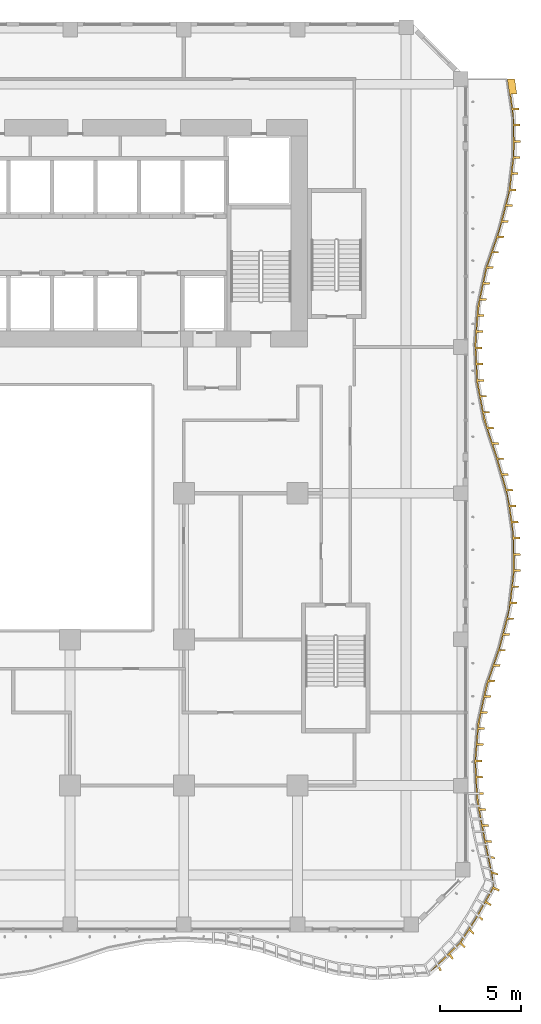
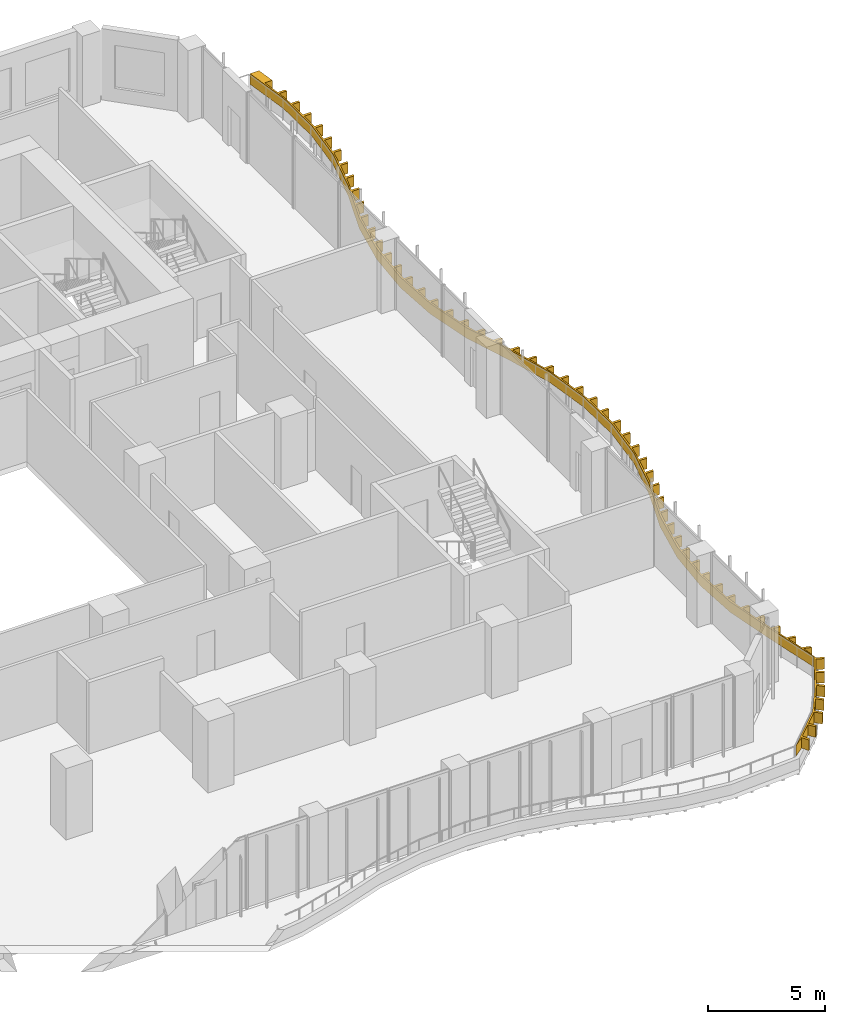
# One storey, part 23 of 26: 1 shading device.
"""IFC4 building model written with IfcOpenShell, lengths in metres."""

from ifc_helpers import new_model, si_unit, direction, frame, origin, place, context, subcontext, project, spatial, polyline, outline, extrude, source, transform, mapped, material, layer, layer_set, type_object, element, save


model = new_model("IFC4")

# Units and contexts
model_context = context("Model", 3, precision=1e-05, world=origin(), true_north=direction((0.0, 1.0)))
body_context = subcontext(model_context, "Body", "Model", "MODEL_VIEW")
ifc_project = project(units=[si_unit("LENGTHUNIT", "METRE"), si_unit("AREAUNIT", "SQUARE_METRE"), si_unit("VOLUMEUNIT", "CUBIC_METRE"), si_unit("PLANEANGLEUNIT", "RADIAN"), si_unit("MASSUNIT", "GRAM", prefix="KILO")], contexts=[model_context])

# Site, building, storey
site_placement = place(None, origin())
site = spatial("IfcSite", under=ifc_project, at=site_placement, CompositionType="ELEMENT")
building_placement = place(site_placement, origin())
building = spatial("IfcBuilding", under=site, at=building_placement, Name="Kilnfold Tower and Market Hall", CompositionType="ELEMENT")
storey_placement = place(building_placement, frame((0.0, 0.0, 31.0)))
storey = spatial("IfcBuildingStorey", under=building, at=storey_placement, Name="L06", CompositionType="ELEMENT", Elevation=31.0)

# Shading device
ifc_material = material(Name="Bronze anodised aluminium", Category="aluminium")
ifc_layer = layer(ifc_material, 0.550048828125)
ifc_layer_set = layer_set([ifc_layer], Name="Bronze anodised aluminium")
shading_device_type = type_object("IfcShadingDeviceType", Name="BRONZE SLAT FASCIA 550", PredefinedType="USERDEFINED", material=ifc_layer_set)
shared_shape = source(origin(), body_context, "Body", "SweptSolid", [
    extrude(outline(polyline([(26.275634765625, -30.4384765625), (26.1015625, -30.1162109375), (25.584228515625, -30.521484375), (27.484619140625, -28.651123046875), (28.4052734375, -27.238525390625), (29.57666015625, -25.153076171875), (28.94677734375, -22.166748046875), (28.518310546875, -19.833251953125), (28.402099609375, -17.5), (28.5927734375, -15.166748046875), (29.099853515625, -12.833251953125), (29.903564453125, -10.5), (30.501220703125, -8.166748046875), (30.7763671875, -5.833251953125), (30.743896484375, -3.5), (30.402099609375, -1.166748046875), (29.732421875, 1.166748046875), (28.964599609375, 3.5), (28.526611328125, 5.833251953125), (28.4013671875, 8.166748046875), (28.58251953125, 10.5), (29.07958984375, 12.833251953125), (29.880126953125, 15.166748046875), (30.48779296875, 17.5), (30.7724609375, 19.833251953125), (30.74951171875, 22.166748046875), (30.417236328125, 24.5), (30.8671875, 24.5), (30.997314453125, 23.5859375), (30.627197265625, 23.5859375), (30.75146484375, 22.714599609375), (31.121337890625, 22.714599609375), (31.13818359375, 22.595947265625), (30.768310546875, 22.595947265625), (30.833740234375, 21.72021484375), (31.203857421875, 21.72021484375), (31.205078125, 21.60009765625), (30.8349609375, 21.60009765625), (30.84375, 20.72021484375), (31.213623046875, 20.72021484375), (31.21484375, 20.600341796875), (30.844970703125, 20.600341796875), (30.8388671875, 19.72119140625), (31.208740234375, 19.72119140625), (31.1943359375, 19.60205078125), (30.82421875, 19.60205078125), (30.7177734375, 18.728515625), (31.087646484375, 18.728515625), (31.0732421875, 18.609375), (30.703125, 18.609375), (30.5966796875, 17.73583984375), (30.966796875, 17.73583984375), (30.9521484375, 17.61669921875), (30.58203125, 17.61669921875), (30.375732421875, 16.76220703125), (30.74560546875, 16.76220703125), (30.715576171875, 16.64599609375), (30.345458984375, 16.64599609375), (30.12353515625, 15.79443359375), (30.49365234375, 15.79443359375), (30.46337890625, 15.678466796875), (30.093505859375, 15.678466796875), (29.84619140625, 14.83447265625), (30.216064453125, 14.83447265625), (30.17724609375, 14.720947265625), (29.80712890625, 14.720947265625), (29.521728515625, 13.888671875), (29.8916015625, 13.888671875), (29.852783203125, 13.77490234375), (29.482666015625, 13.77490234375), (29.197265625, 12.942626953125), (29.567138671875, 12.942626953125), (29.52880859375, 12.8291015625), (29.15869140625, 12.8291015625), (28.975341796875, 11.96826171875), (29.34521484375, 11.96826171875), (29.3203125, 11.85107421875), (28.9501953125, 11.85107421875), (28.766845703125, 10.990234375), (29.136962890625, 10.990234375), (29.11181640625, 10.872802734375), (28.741943359375, 10.872802734375), (28.623779296875, 10.002685546875), (28.993896484375, 10.002685546875), (28.984619140625, 9.88330078125), (28.614501953125, 9.88330078125), (28.54638671875, 9.005859375), (28.91650390625, 9.005859375), (28.906982421875, 8.88623046875), (28.537109375, 8.88623046875), (28.48974609375, 8.008544921875), (28.85986328125, 8.008544921875), (28.8662109375, 7.888671875), (28.49609375, 7.888671875), (28.54345703125, 7.010009765625), (28.913330078125, 7.010009765625), (28.919921875, 6.89013671875), (28.5498046875, 6.89013671875), (28.596923828125, 6.011474609375), (28.966796875, 6.011474609375), (28.973388671875, 5.8916015625), (28.603515625, 5.8916015625), (28.758056640625, 5.02587890625), (29.128173828125, 5.02587890625), (29.150390625, 4.907958984375), (28.7802734375, 4.907958984375), (28.942626953125, 4.04296875), (29.312744140625, 4.04296875), (29.3349609375, 3.925048828125), (28.96484375, 3.925048828125), (29.1845703125, 3.074951171875), (29.554443359375, 3.074951171875), (29.592041015625, 2.9609375), (29.221923828125, 2.9609375), (29.4970703125, 2.125), (29.866943359375, 2.125), (29.904541015625, 2.010986328125), (29.534423828125, 2.010986328125), (29.8095703125, 1.175048828125), (30.179443359375, 1.175048828125), (30.182373046875, 1.166748046875), (30.212890625, 1.059814453125), (29.843017578125, 1.059814453125), (30.085693359375, 0.214111328125), (30.455810546875, 0.214111328125), (30.489013671875, 0.0986328125), (30.118896484375, 0.0986328125), (30.36181640625, -0.747314453125), (30.731689453125, -0.747314453125), (30.764892578125, -0.862548828125), (30.39501953125, -0.862548828125), (30.56396484375, -1.724365234375), (30.933837890625, -1.724365234375), (30.951171875, -1.843017578125), (30.581298828125, -1.843017578125), (30.708740234375, -2.713623046875), (31.078857421875, -2.713623046875), (31.09619140625, -2.83251953125), (30.72607421875, -2.83251953125), (30.826904296875, -3.705322265625), (31.19677734375, -3.705322265625), (31.198486328125, -3.8251953125), (30.828369140625, -3.8251953125), (30.840576171875, -4.705078125), (31.210693359375, -4.705078125), (31.21240234375, -4.8251953125), (30.84228515625, -4.8251953125), (30.8544921875, -5.705078125), (31.224609375, -5.705078125), (31.226318359375, -5.8251953125), (30.856201171875, -5.8251953125), (30.754150390625, -6.69921875), (31.124267578125, -6.69921875), (31.110107421875, -6.818359375), (30.740234375, -6.818359375), (30.63720703125, -7.6923828125), (31.007080078125, -7.6923828125), (30.9931640625, -7.811279296875), (30.623046875, -7.811279296875), (30.45166015625, -8.672607421875), (30.821533203125, -8.672607421875), (30.791748046875, -8.788818359375), (30.421875, -8.788818359375), (30.20361328125, -9.641357421875), (30.573486328125, -9.641357421875), (30.543701171875, -9.757568359375), (30.173583984375, -9.757568359375), (29.946533203125, -10.607421875), (30.31640625, -10.607421875), (30.27734375, -10.720947265625), (29.907470703125, -10.720947265625), (29.620849609375, -11.552978515625), (29.990966796875, -11.552978515625), (29.951904296875, -11.66650390625), (29.581787109375, -11.66650390625), (29.295166015625, -12.498291015625), (29.665283203125, -12.498291015625), (29.626220703125, -12.61181640625), (29.256103515625, -12.61181640625), (29.042724609375, -13.46435546875), (29.41259765625, -13.46435546875), (29.38720703125, -13.581787109375), (29.017333984375, -13.581787109375), (28.830322265625, -14.441650390625), (29.200439453125, -14.441650390625), (29.1748046875, -14.558837890625), (28.804931640625, -14.558837890625), (28.65185546875, -15.423828125), (29.021728515625, -15.423828125), (29.011962890625, -15.54345703125), (28.64208984375, -15.54345703125), (28.5703125, -16.42041015625), (28.9404296875, -16.42041015625), (28.9306640625, -16.5400390625), (28.560546875, -16.5400390625), (28.489013671875, -17.417236328125), (28.85888671875, -17.417236328125), (28.85400390625, -17.536865234375), (28.48388671875, -17.536865234375), (28.527587890625, -18.415771484375), (28.897705078125, -18.415771484375), (28.90380859375, -18.53564453125), (28.53369140625, -18.53564453125), (28.577392578125, -19.41455078125), (28.947509765625, -19.41455078125), (28.953369140625, -19.534423828125), (28.583251953125, -19.534423828125), (28.703125, -20.404541015625), (29.072998046875, -20.404541015625), (29.0947265625, -20.5224609375), (28.724853515625, -20.5224609375), (28.8837890625, -21.387939453125), (29.253662109375, -21.387939453125), (29.275390625, -21.506103515625), (28.905517578125, -21.506103515625), (29.067626953125, -22.367919921875), (29.436279296875, -22.377197265625), (29.459228515625, -22.49853515625), (29.09130859375, -22.483642578125), (29.265869140625, -23.333251953125), (29.627197265625, -23.388427734375), (29.64990234375, -23.509765625), (29.289794921875, -23.44921875), (29.4658203125, -24.298828125), (29.81787109375, -24.3994140625), (29.8408203125, -24.520751953125), (29.489990234375, -24.414794921875), (29.609619140625, -25.255615234375), (29.94921875, -25.401611328125), (29.887451171875, -25.510009765625), (29.551513671875, -25.358154296875), (29.126708984375, -26.109619140625), (29.435302734375, -26.304931640625), (29.37353515625, -26.413330078125), (29.06884765625, -26.2119140625), (28.646484375, -26.96484375), (28.92138671875, -27.20849609375), (28.85986328125, -27.31689453125), (28.5888671875, -27.067626953125), (28.126220703125, -27.809814453125), (28.3876953125, -28.071533203125), (28.322265625, -28.172119140625), (28.060791015625, -27.910400390625), (27.580078125, -28.647705078125), (27.841796875, -28.9091796875), (27.802734375, -28.96923828125), (27.7666015625, -29.00390625), (27.5068359375, -28.740966796875), (26.8876953125, -29.34521484375), (27.110595703125, -29.63525390625), (27.02099609375, -29.72119140625), (26.803466796875, -29.427734375), (26.185791015625, -30.033447265625), (26.364990234375, -30.352294921875), (26.275634765625, -30.4384765625)])), origin(), (0.0, 0.0, 1.0), 0.550048828125),
])
shading_device_placement = place(storey_placement, frame((0.0, 0.0, 0.550048828125)))
element("IfcShadingDevice", 1, at=shading_device_placement, inside=storey, type_object=shading_device_type, Name="Balcony slat fascia L06", ObjectType="SLAT", PredefinedType="USERDEFINED", context=body_context, shape_type="MappedRepresentation", body=[
    mapped(shared_shape, transform((0.0, 0.0, 0.0))),
])

save(model, "model.ifc")
